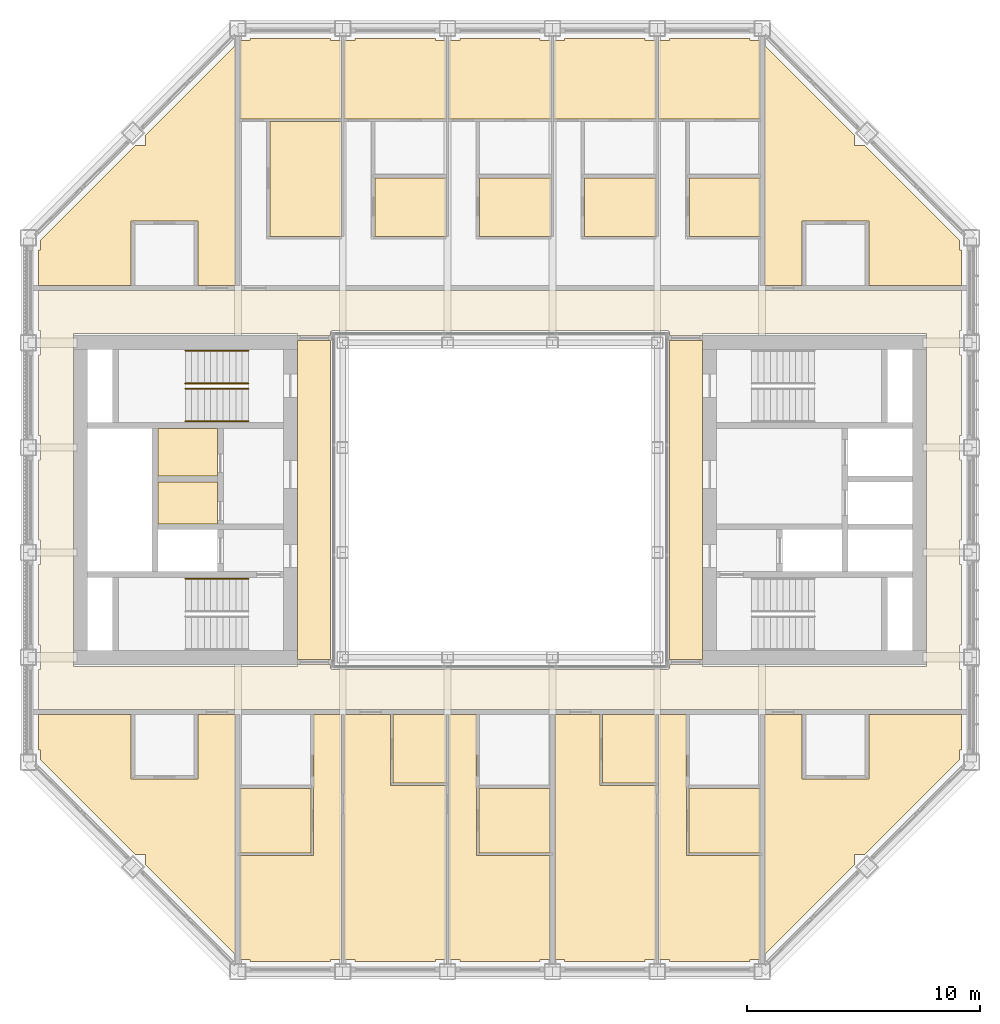
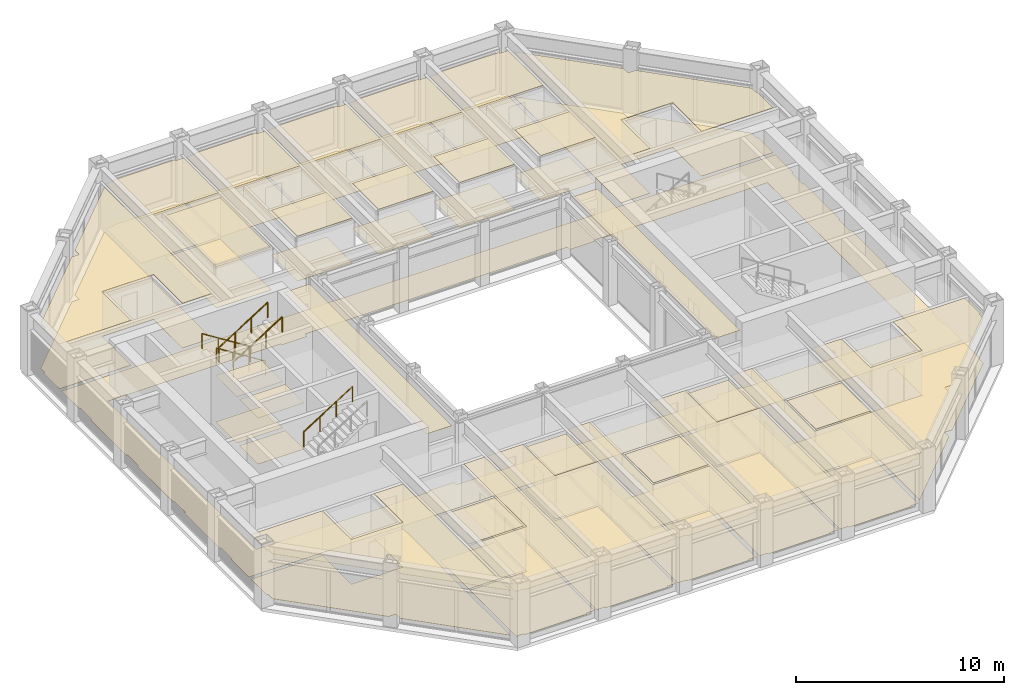
# One storey, part 16 of 18: 7 coverings, 5 railings.
"""IFC4 building model written with IfcOpenShell, lengths in metres."""

from ifc_helpers import new_model, si_unit, direction, frame, origin, origin_2d, place, context, subcontext, project, spatial, line, indexed_curve, circle, outline, extrude, material, layer, layer_set, type_object, element, save


model = new_model("IFC4")

# Units and contexts
model_context = context("Model", 3, precision=1e-05, world=origin(), true_north=direction((0.0, 1.0)))
body_context = subcontext(model_context, "Body", "Model", "MODEL_VIEW")
ifc_project = project(units=[si_unit("LENGTHUNIT", "METRE"), si_unit("AREAUNIT", "SQUARE_METRE"), si_unit("VOLUMEUNIT", "CUBIC_METRE"), si_unit("PLANEANGLEUNIT", "RADIAN"), si_unit("MASSUNIT", "GRAM", prefix="KILO")], contexts=[model_context])

# Site, building, storey
site_placement = place(None, origin())
site = spatial("IfcSite", under=ifc_project, at=site_placement, CompositionType="ELEMENT")
building_placement = place(site_placement, origin())
building = spatial("IfcBuilding", under=site, at=building_placement, Name="Msasa Ring Tower", CompositionType="ELEMENT")
storey_placement = place(building_placement, frame((0.0, 0.0, 249.550048828125)))
storey = spatial("IfcBuildingStorey", under=building, at=storey_placement, Name="L65", CompositionType="ELEMENT", Elevation=249.550048828125)

# Coverings
ifc_material_1 = material(Name="Gypsum plasterboard on a steel suspension grid", Category="steel")
ifc_layer_1 = layer(ifc_material_1, 0.014892578125)
ifc_layer_set_1 = layer_set([ifc_layer_1], Name="C1 SUSPENDED PLASTERBOARD CEILING 15")
covering_type_1 = type_object("IfcCoveringType", Name="C1 SUSPENDED PLASTERBOARD CEILING 15", PredefinedType="CEILING", material=ifc_layer_set_1)
covering_1_placement = place(storey_placement, frame((0.0, 0.0, 3.199951171875)))
element("IfcCovering", 1, at=covering_1_placement, inside=storey, type_object=covering_type_1, Name="Suspended Plasterboard Ceiling 15 public rooms L65", PredefinedType="CEILING", context=body_context, shape_type="SweptSolid", body=[
    extrude(outline(indexed_curve([(-7.280029296875, 6.849609375), (-7.280029296875, -6.849609375), (-8.699462890625, -6.849609375), (-8.699462890625, 6.849609375)], segments=[line(1, 2, 3, 4, 1)], self_intersect=False)), origin(), (0.0, 0.0, 1.0), 0.014892578125),
    extrude(outline(indexed_curve([(8.699462890625, 6.849609375), (8.699462890625, -6.849609375), (7.280029296875, -6.849609375), (7.280029296875, 6.849609375)], segments=[line(1, 2, 3, 4, 1)], self_intersect=False)), origin(), (0.0, 0.0, 1.0), 0.014892578125),
])
covering_2_placement = place(storey_placement, frame((0.0, 0.0, 2.634033203125)))
element("IfcCovering", 2, at=covering_2_placement, inside=storey, type_object=covering_type_1, Name="Suspended Plasterboard Ceiling 15 L65", PredefinedType="CEILING", context=body_context, shape_type="SweptSolid", body=[
    extrude(outline(indexed_curve([(-12.969482421875, -9.200439453125), (-11.3505859375, -9.200439453125), (-11.3505859375, -19.512451171875), (-15.224609375, -15.638427734375), (-15.224609375, -15.224609375), (-15.638427734375, -15.224609375), (-19.724609375, -11.138427734375), (-19.724609375, -10.724609375), (-19.799560546875, -10.724609375), (-19.799560546875, -9.200439453125), (-15.83056640625, -9.200439453125), (-15.83056640625, -11.98046875), (-12.969482421875, -11.98046875)], segments=[line(1, 2, 3, 4, 5, 6, 7, 8, 9, 10, 11, 12, 13, 1)], self_intersect=False)), origin(), (0.0, 0.0, 1.0), 0.014892578125),
    extrude(outline(indexed_curve([(-19.799560546875, 9.200439453125), (-19.799560546875, 10.724609375), (-19.724609375, 10.724609375), (-19.724609375, 11.138427734375), (-15.638427734375, 15.224609375), (-15.224609375, 15.224609375), (-15.224609375, 15.638427734375), (-11.3505859375, 19.512451171875), (-11.3505859375, 9.200439453125), (-12.969482421875, 9.200439453125), (-12.969482421875, 11.98046875), (-15.83056640625, 11.98046875), (-15.83056640625, 9.200439453125)], segments=[line(1, 2, 3, 4, 5, 6, 7, 8, 9, 10, 11, 12, 13, 1)], self_intersect=False)), origin(), (0.0, 0.0, 1.0), 0.014892578125),
    extrude(outline(indexed_curve([(-7.99951171875, -9.200439453125), (-6.810546875, -9.200439453125), (-6.810546875, -19.724609375), (-7.275390625, -19.724609375), (-7.275390625, -19.799560546875), (-10.724609375, -19.799560546875), (-10.724609375, -19.724609375), (-11.138427734375, -19.724609375), (-11.189453125, -19.67333984375), (-11.189453125, -15.25048828125), (-7.99951171875, -15.25048828125)], segments=[line(1, 2, 3, 4, 5, 6, 7, 8, 9, 10, 11, 1)], self_intersect=False)), origin(), (0.0, 0.0, 1.0), 0.014892578125),
    extrude(outline(indexed_curve([(-11.189453125, 16.35546875), (-11.189453125, 19.67333984375), (-11.138427734375, 19.724609375), (-10.724609375, 19.724609375), (-10.724609375, 19.799560546875), (-7.275390625, 19.799560546875), (-7.275390625, 19.724609375), (-6.810546875, 19.724609375), (-6.810546875, 16.35546875)], segments=[line(1, 2, 3, 4, 5, 6, 7, 8, 9, 1)], self_intersect=False)), origin(), (0.0, 0.0, 1.0), 0.014892578125),
    extrude(outline(indexed_curve([(-8.10546875, -12.380615234375), (-8.10546875, -15.14453125), (-11.1494140625, -15.14453125), (-11.1494140625, -12.380615234375)], segments=[line(1, 2, 3, 4, 1)], self_intersect=False)), origin(), (0.0, 0.0, 1.0), 0.014892578125),
    extrude(outline(indexed_curve([(-6.224609375, -19.799560546875), (-6.224609375, -19.724609375), (-6.689453125, -19.724609375), (-6.689453125, -9.200439453125), (-4.700439453125, -9.200439453125), (-4.700439453125, -12.25048828125), (-2.310546875, -12.25048828125), (-2.310546875, -19.724609375), (-2.775390625, -19.724609375), (-2.775390625, -19.799560546875)], segments=[line(1, 2, 3, 4, 5, 6, 7, 8, 9, 10, 1)], self_intersect=False)), origin(), (0.0, 0.0, 1.0), 0.014892578125),
    extrude(outline(indexed_curve([(-6.689453125, 19.724609375), (-6.224609375, 19.724609375), (-6.224609375, 19.799560546875), (-2.775390625, 19.799560546875), (-2.775390625, 19.724609375), (-2.310546875, 19.724609375), (-2.310546875, 16.35546875), (-6.689453125, 16.35546875)], segments=[line(1, 2, 3, 4, 5, 6, 7, 8, 1)], self_intersect=False)), origin(), (0.0, 0.0, 1.0), 0.014892578125),
    extrude(outline(indexed_curve([(-5.369384765625, 13.819580078125), (-2.310546875, 13.819580078125), (-2.310546875, 11.305419921875), (-5.369384765625, 11.305419921875)], segments=[line(1, 2, 3, 4, 1)], self_intersect=False)), origin(), (0.0, 0.0, 1.0), 0.014892578125),
    extrude(outline(indexed_curve([(-1.724609375, -19.799560546875), (-1.724609375, -19.724609375), (-2.189453125, -19.724609375), (-2.189453125, -9.200439453125), (-1.00048828125, -9.200439453125), (-1.00048828125, -15.25048828125), (2.189453125, -15.25048828125), (2.189453125, -19.724609375), (1.724609375, -19.724609375), (1.724609375, -19.799560546875)], segments=[line(1, 2, 3, 4, 5, 6, 7, 8, 9, 10, 1)], self_intersect=False)), origin(), (0.0, 0.0, 1.0), 0.014892578125),
    extrude(outline(indexed_curve([(-2.189453125, 16.35546875), (-2.189453125, 19.724609375), (-1.724609375, 19.724609375), (-1.724609375, 19.799560546875), (1.724609375, 19.799560546875), (1.724609375, 19.724609375), (2.189453125, 19.724609375), (2.189453125, 16.35546875)], segments=[line(1, 2, 3, 4, 5, 6, 7, 8, 1)], self_intersect=False)), origin(), (0.0, 0.0, 1.0), 0.014892578125),
    extrude(outline(indexed_curve([(-0.89453125, -12.380615234375), (2.1494140625, -12.380615234375), (2.1494140625, -15.14453125), (-0.89453125, -15.14453125)], segments=[line(1, 2, 3, 4, 1)], self_intersect=False)), origin(), (0.0, 0.0, 1.0), 0.014892578125),
    extrude(outline(indexed_curve([(-0.869384765625, 13.819580078125), (2.189453125, 13.819580078125), (2.189453125, 11.305419921875), (-0.869384765625, 11.305419921875)], segments=[line(1, 2, 3, 4, 1)], self_intersect=False)), origin(), (0.0, 0.0, 1.0), 0.014892578125),
    extrude(outline(indexed_curve([(2.775390625, -19.799560546875), (2.775390625, -19.724609375), (2.310546875, -19.724609375), (2.310546875, -9.200439453125), (4.299560546875, -9.200439453125), (4.299560546875, -12.25048828125), (6.689453125, -12.25048828125), (6.689453125, -19.724609375), (6.224609375, -19.724609375), (6.224609375, -19.799560546875)], segments=[line(1, 2, 3, 4, 5, 6, 7, 8, 9, 10, 1)], self_intersect=False)), origin(), (0.0, 0.0, 1.0), 0.014892578125),
    extrude(outline(indexed_curve([(2.310546875, 19.724609375), (2.775390625, 19.724609375), (2.775390625, 19.799560546875), (6.224609375, 19.799560546875), (6.224609375, 19.724609375), (6.689453125, 19.724609375), (6.689453125, 16.35546875), (2.310546875, 16.35546875)], segments=[line(1, 2, 3, 4, 5, 6, 7, 8, 1)], self_intersect=False)), origin(), (0.0, 0.0, 1.0), 0.014892578125),
    extrude(outline(indexed_curve([(6.689453125, 13.819580078125), (6.689453125, 11.305419921875), (3.630615234375, 11.305419921875), (3.630615234375, 13.819580078125)], segments=[line(1, 2, 3, 4, 1)], self_intersect=False)), origin(), (0.0, 0.0, 1.0), 0.014892578125),
    extrude(outline(indexed_curve([(11.138427734375, -19.724609375), (10.724609375, -19.724609375), (10.724609375, -19.799560546875), (7.275390625, -19.799560546875), (7.275390625, -19.724609375), (6.810546875, -19.724609375), (6.810546875, -9.200439453125), (7.99951171875, -9.200439453125), (7.99951171875, -15.25048828125), (11.189453125, -15.25048828125), (11.189453125, -19.67333984375)], segments=[line(1, 2, 3, 4, 5, 6, 7, 8, 9, 10, 11, 1)], self_intersect=False)), origin(), (0.0, 0.0, 1.0), 0.014892578125),
    extrude(outline(indexed_curve([(6.810546875, 16.35546875), (6.810546875, 19.724609375), (7.275390625, 19.724609375), (7.275390625, 19.799560546875), (10.724609375, 19.799560546875), (10.724609375, 19.724609375), (11.138427734375, 19.724609375), (11.189453125, 19.67333984375), (11.189453125, 16.35546875)], segments=[line(1, 2, 3, 4, 5, 6, 7, 8, 9, 1)], self_intersect=False)), origin(), (0.0, 0.0, 1.0), 0.014892578125),
    extrude(outline(indexed_curve([(11.1494140625, -12.380615234375), (11.1494140625, -15.14453125), (8.10546875, -15.14453125), (8.10546875, -12.380615234375)], segments=[line(1, 2, 3, 4, 1)], self_intersect=False)), origin(), (0.0, 0.0, 1.0), 0.014892578125),
    extrude(outline(indexed_curve([(11.189453125, 13.819580078125), (11.189453125, 11.305419921875), (8.130615234375, 11.305419921875), (8.130615234375, 13.819580078125)], segments=[line(1, 2, 3, 4, 1)], self_intersect=False)), origin(), (0.0, 0.0, 1.0), 0.014892578125),
    extrude(outline(indexed_curve([(19.799560546875, -10.724609375), (19.724609375, -10.724609375), (19.724609375, -11.138427734375), (15.638427734375, -15.224609375), (15.224609375, -15.224609375), (15.224609375, -15.638427734375), (11.3505859375, -19.512451171875), (11.3505859375, -9.200439453125), (12.969482421875, -9.200439453125), (12.969482421875, -11.98046875), (15.83056640625, -11.98046875), (15.83056640625, -9.200439453125), (19.799560546875, -9.200439453125)], segments=[line(1, 2, 3, 4, 5, 6, 7, 8, 9, 10, 11, 12, 13, 1)], self_intersect=False)), origin(), (0.0, 0.0, 1.0), 0.014892578125),
    extrude(outline(indexed_curve([(12.969482421875, 11.98046875), (12.969482421875, 9.200439453125), (11.3505859375, 9.200439453125), (11.3505859375, 19.512451171875), (15.224609375, 15.638427734375), (15.224609375, 15.224609375), (15.638427734375, 15.224609375), (19.724609375, 11.138427734375), (19.724609375, 10.724609375), (19.799560546875, 10.724609375), (19.799560546875, 9.200439453125), (15.83056640625, 9.200439453125), (15.83056640625, 11.98046875)], segments=[line(1, 2, 3, 4, 5, 6, 7, 8, 9, 10, 11, 12, 13, 1)], self_intersect=False)), origin(), (0.0, 0.0, 1.0), 0.014892578125),
])
ifc_material_2 = material(Name="Mineral fibre ceiling tiles on an exposed steel grid", Category="steel")
ifc_layer_2 = layer(ifc_material_2, 0.02001953125)
ifc_layer_set_2 = layer_set([ifc_layer_2], Name="C3 ACOUSTIC MINERAL FIBRE TILE CEILING 20")
covering_type_2 = type_object("IfcCoveringType", Name="C3 ACOUSTIC MINERAL FIBRE TILE CEILING 20", PredefinedType="CEILING", material=ifc_layer_set_2)
covering_3_placement = place(storey_placement, frame((0.0, 0.0, 2.699951171875)))
element("IfcCovering", 3, at=covering_3_placement, inside=storey, type_object=covering_type_2, Name="Acoustic Mineral Fibre Tile Ceiling 20 L65", PredefinedType="CEILING", context=body_context, shape_type="SweptSolid", body=[
    extrude(outline(indexed_curve([(-12.12548828125, -1.0244140625), (-14.674560546875, -1.0244140625), (-14.674560546875, 0.7744140625), (-12.12548828125, 0.7744140625)], segments=[line(1, 2, 3, 4, 1)], self_intersect=False)), origin(), (0.0, 0.0, 1.0), 0.02001953125),
    extrude(outline(indexed_curve([(-12.12548828125, 3.074462890625), (-12.12548828125, 1.025390625), (-14.674560546875, 1.025390625), (-14.674560546875, 3.074462890625)], segments=[line(1, 2, 3, 4, 1)], self_intersect=False)), origin(), (0.0, 0.0, 1.0), 0.02001953125),
])
ifc_material_3 = material(Name="Perforated aluminium ceiling pans on a steel grid", Category="steel")
ifc_layer_3 = layer(ifc_material_3, 0.02490234375)
ifc_layer_set_3 = layer_set([ifc_layer_3], Name="C4 PERFORATED METAL PAN CEILING 25")
covering_type_3 = type_object("IfcCoveringType", Name="C4 PERFORATED METAL PAN CEILING 25", PredefinedType="CEILING", material=ifc_layer_set_3)
covering_4_placement = place(storey_placement, frame((0.0, 0.0, 2.39990234375)))
element("IfcCovering", 4, at=covering_4_placement, inside=storey, type_object=covering_type_3, Name="Perforated Metal Pan Ceiling 25 L65", PredefinedType="CEILING", context=body_context, shape_type="SweptSolid", body=[
    extrude(outline(indexed_curve([(-6.810546875, 11.305419921875), (-9.869384765625, 11.305419921875), (-9.869384765625, 16.244384765625), (-6.810546875, 16.244384765625)], segments=[line(1, 2, 3, 4, 1)], self_intersect=False)), origin(), (0.0, 0.0, 1.0), 0.025146484375),
    extrude(outline(indexed_curve([(-2.310546875, -9.200439453125), (-2.310546875, -12.14453125), (-4.594482421875, -12.14453125), (-4.594482421875, -9.200439453125)], segments=[line(1, 2, 3, 4, 1)], self_intersect=False)), origin(), (0.0, 0.0, 1.0), 0.025146484375),
    extrude(outline(indexed_curve([(6.689453125, -12.14453125), (4.405517578125, -12.14453125), (4.405517578125, -9.200439453125), (6.689453125, -9.200439453125)], segments=[line(1, 2, 3, 4, 1)], self_intersect=False)), origin(), (0.0, 0.0, 1.0), 0.025146484375),
])
ifc_material_4 = material(Name="Wool-blend carpet on felt underlay", Category="textile")
ifc_layer_4 = layer(ifc_material_4, 0.011962890625)
ifc_layer_set_4 = layer_set([ifc_layer_4], Name="F2 CARPET ON UNDERLAY 12")
covering_type_4 = type_object("IfcCoveringType", Name="F2 CARPET ON UNDERLAY 12", PredefinedType="FLOORING", material=ifc_layer_set_4)
covering_5_placement = place(storey_placement, origin())
element("IfcCovering", 5, at=covering_5_placement, inside=storey, type_object=covering_type_4, Name="Carpet On Underlay 12 L65", PredefinedType="FLOORING", context=body_context, shape_type="SweptSolid", body=[
    extrude(outline(indexed_curve([(19.799560546875, 7.275390625), (19.724609375, 7.275390625), (19.724609375, 6.224609375), (19.799560546875, 6.224609375), (19.799560546875, 2.775390625), (19.724609375, 2.775390625), (19.724609375, 1.724609375), (19.799560546875, 1.724609375), (19.799560546875, -1.724609375), (19.724609375, -1.724609375), (19.724609375, -2.775390625), (19.799560546875, -2.775390625), (19.799560546875, -6.224609375), (19.724609375, -6.224609375), (19.724609375, -7.275390625), (19.799560546875, -7.275390625), (19.799560546875, -8.99951171875), (-19.799560546875, -8.99951171875), (-19.799560546875, -7.275390625), (-19.724609375, -7.275390625), (-19.724609375, -6.224609375), (-19.799560546875, -6.224609375), (-19.799560546875, -2.775390625), (-19.724609375, -2.775390625), (-19.724609375, -1.724609375), (-19.799560546875, -1.724609375), (-19.799560546875, 1.724609375), (-19.724609375, 1.724609375), (-19.724609375, 2.775390625), (-19.799560546875, 2.775390625), (-19.799560546875, 6.224609375), (-19.724609375, 6.224609375), (-19.724609375, 7.275390625), (-19.799560546875, 7.275390625), (-19.799560546875, 8.99951171875), (19.799560546875, 8.99951171875)], segments=[line(1, 2, 3, 4, 5, 6, 7, 8, 9, 10, 11, 12, 13, 14, 15, 16, 17, 18, 19, 20, 21, 22, 23, 24, 25, 26, 27, 28, 29, 30, 31, 32, 33, 34, 35, 36, 1)], self_intersect=False), holes=[indexed_curve([(8.699462890625, -7.150390625), (18.300537109375, -7.150390625), (18.300537109375, 7.150390625), (8.699462890625, 7.150390625), (8.699462890625, 7.050537109375), (7.280029296875, 7.050537109375), (7.280517578125, 7.23046875), (7.22998046875, 7.23046875), (7.22998046875, 7.280029296875), (-7.22998046875, 7.280029296875), (-7.22998046875, 7.23046875), (-7.280517578125, 7.23046875), (-7.280029296875, 7.050537109375), (-8.699462890625, 7.050537109375), (-8.699462890625, 7.150390625), (-18.300537109375, 7.150390625), (-18.300537109375, -7.150390625), (-8.699462890625, -7.150390625), (-8.699462890625, -7.050537109375), (-7.280029296875, -7.050537109375), (-7.280517578125, -7.23046875), (-7.22998046875, -7.23046875), (-7.22998046875, -7.280029296875), (7.22998046875, -7.280029296875), (7.22998046875, -7.23046875), (7.280517578125, -7.23046875), (7.280029296875, -7.050537109375), (8.699462890625, -7.050537109375)], segments=[line(1, 2, 3, 4, 5, 6, 7, 8, 9, 10, 11, 12, 13, 14, 15, 16, 17, 18, 19, 20, 21, 22, 23, 24, 25, 26, 27, 28, 1)], self_intersect=False)]), origin(), (0.0, 0.0, 1.0), 0.011962890625),
    extrude(outline(indexed_curve([(-6.810546875, -9.200439453125), (-6.810546875, -19.724609375), (-7.275390625, -19.724609375), (-7.275390625, -19.799560546875), (-10.724609375, -19.799560546875), (-10.724609375, -19.724609375), (-11.138427734375, -19.724609375), (-11.1494140625, -19.71337890625), (-11.1494140625, -15.25048828125), (-7.99951171875, -15.25048828125), (-7.99951171875, -12.35009765625), (-7.974609375, -12.35009765625), (-7.974609375, -9.200439453125)], segments=[line(1, 2, 3, 4, 5, 6, 7, 8, 9, 10, 11, 12, 13, 1)], self_intersect=False)), origin(), (0.0, 0.0, 1.0), 0.011962890625),
    extrude(outline(indexed_curve([(-8.10546875, -12.380615234375), (-8.10546875, -15.14453125), (-11.1494140625, -15.14453125), (-11.1494140625, -12.380615234375)], segments=[line(1, 2, 3, 4, 1)], self_intersect=False)), origin(), (0.0, 0.0, 1.0), 0.011962890625),
    extrude(outline(indexed_curve([(-11.1494140625, 16.35546875), (-11.1494140625, 19.71337890625), (-11.138427734375, 19.724609375), (-10.724609375, 19.724609375), (-10.724609375, 19.799560546875), (-7.275390625, 19.799560546875), (-7.275390625, 19.724609375), (-6.810546875, 19.724609375), (-6.810546875, 16.35546875)], segments=[line(1, 2, 3, 4, 5, 6, 7, 8, 9, 1)], self_intersect=False)), origin(), (0.0, 0.0, 1.0), 0.011962890625),
    extrude(outline(indexed_curve([(-6.689453125, -9.200439453125), (-4.700439453125, -9.200439453125), (-4.700439453125, -12.25048828125), (-2.310546875, -12.25048828125), (-2.310546875, -19.724609375), (-2.775390625, -19.724609375), (-2.775390625, -19.799560546875), (-6.224609375, -19.799560546875), (-6.224609375, -19.724609375), (-6.689453125, -19.724609375)], segments=[line(1, 2, 3, 4, 5, 6, 7, 8, 9, 10, 1)], self_intersect=False)), origin(), (0.0, 0.0, 1.0), 0.011962890625),
    extrude(outline(indexed_curve([(-2.775390625, 19.799560546875), (-2.775390625, 19.724609375), (-2.310546875, 19.724609375), (-2.310546875, 16.35546875), (-6.689453125, 16.35546875), (-6.689453125, 19.724609375), (-6.224609375, 19.724609375), (-6.224609375, 19.799560546875)], segments=[line(1, 2, 3, 4, 5, 6, 7, 8, 1)], self_intersect=False)), origin(), (0.0, 0.0, 1.0), 0.011962890625),
    extrude(outline(indexed_curve([(-2.310546875, 13.819580078125), (-2.310546875, 11.305419921875), (-5.369384765625, 11.305419921875), (-5.369384765625, 13.819580078125)], segments=[line(1, 2, 3, 4, 1)], self_intersect=False)), origin(), (0.0, 0.0, 1.0), 0.011962890625),
    extrude(outline(indexed_curve([(-2.189453125, -9.200439453125), (-1.025390625, -9.200439453125), (-1.025390625, -12.35009765625), (-1.00048828125, -12.35009765625), (-1.00048828125, -15.25048828125), (2.1494140625, -15.25048828125), (2.1494140625, -19.724609375), (1.724609375, -19.724609375), (1.724609375, -19.799560546875), (-1.724609375, -19.799560546875), (-1.724609375, -19.724609375), (-2.189453125, -19.724609375)], segments=[line(1, 2, 3, 4, 5, 6, 7, 8, 9, 10, 11, 12, 1)], self_intersect=False)), origin(), (0.0, 0.0, 1.0), 0.011962890625),
    extrude(outline(indexed_curve([(1.724609375, 19.799560546875), (1.724609375, 19.724609375), (2.189453125, 19.724609375), (2.189453125, 16.35546875), (-2.189453125, 16.35546875), (-2.189453125, 19.724609375), (-1.724609375, 19.724609375), (-1.724609375, 19.799560546875)], segments=[line(1, 2, 3, 4, 5, 6, 7, 8, 1)], self_intersect=False)), origin(), (0.0, 0.0, 1.0), 0.011962890625),
    extrude(outline(indexed_curve([(2.1494140625, -12.380615234375), (2.1494140625, -15.14453125), (-0.89453125, -15.14453125), (-0.89453125, -12.380615234375)], segments=[line(1, 2, 3, 4, 1)], self_intersect=False)), origin(), (0.0, 0.0, 1.0), 0.011962890625),
    extrude(outline(indexed_curve([(2.189453125, 13.819580078125), (2.189453125, 11.305419921875), (-0.869384765625, 11.305419921875), (-0.869384765625, 13.819580078125)], segments=[line(1, 2, 3, 4, 1)], self_intersect=False)), origin(), (0.0, 0.0, 1.0), 0.011962890625),
    extrude(outline(indexed_curve([(6.224609375, 19.799560546875), (6.224609375, 19.724609375), (6.689453125, 19.724609375), (6.689453125, 16.35546875), (2.310546875, 16.35546875), (2.310546875, 19.724609375), (2.775390625, 19.724609375), (2.775390625, 19.799560546875)], segments=[line(1, 2, 3, 4, 5, 6, 7, 8, 1)], self_intersect=False)), origin(), (0.0, 0.0, 1.0), 0.011962890625),
    extrude(outline(indexed_curve([(4.299560546875, -9.200439453125), (4.299560546875, -12.25048828125), (6.689453125, -12.25048828125), (6.689453125, -19.724609375), (6.224609375, -19.724609375), (6.224609375, -19.799560546875), (2.775390625, -19.799560546875), (2.775390625, -19.724609375), (2.3505859375, -19.724609375), (2.3505859375, -9.200439453125)], segments=[line(1, 2, 3, 4, 5, 6, 7, 8, 9, 10, 1)], self_intersect=False)), origin(), (0.0, 0.0, 1.0), 0.011962890625),
    extrude(outline(indexed_curve([(6.689453125, 13.819580078125), (6.689453125, 11.305419921875), (3.630615234375, 11.305419921875), (3.630615234375, 13.819580078125)], segments=[line(1, 2, 3, 4, 1)], self_intersect=False)), origin(), (0.0, 0.0, 1.0), 0.011962890625),
    extrude(outline(indexed_curve([(7.275390625, -19.799560546875), (7.275390625, -19.724609375), (6.810546875, -19.724609375), (6.810546875, -9.200439453125), (7.974609375, -9.200439453125), (7.974609375, -12.35009765625), (7.99951171875, -12.35009765625), (7.99951171875, -15.25048828125), (11.1494140625, -15.25048828125), (11.1494140625, -19.71337890625), (11.138427734375, -19.724609375), (10.724609375, -19.724609375), (10.724609375, -19.799560546875)], segments=[line(1, 2, 3, 4, 5, 6, 7, 8, 9, 10, 11, 12, 13, 1)], self_intersect=False)), origin(), (0.0, 0.0, 1.0), 0.011962890625),
    extrude(outline(indexed_curve([(6.810546875, 19.724609375), (7.275390625, 19.724609375), (7.275390625, 19.799560546875), (10.724609375, 19.799560546875), (10.724609375, 19.724609375), (11.138427734375, 19.724609375), (11.1494140625, 19.71337890625), (11.1494140625, 16.35546875), (6.810546875, 16.35546875)], segments=[line(1, 2, 3, 4, 5, 6, 7, 8, 9, 1)], self_intersect=False)), origin(), (0.0, 0.0, 1.0), 0.011962890625),
    extrude(outline(indexed_curve([(11.1494140625, -12.380615234375), (11.1494140625, -15.14453125), (8.10546875, -15.14453125), (8.10546875, -12.380615234375)], segments=[line(1, 2, 3, 4, 1)], self_intersect=False)), origin(), (0.0, 0.0, 1.0), 0.011962890625),
    extrude(outline(indexed_curve([(11.1494140625, 13.819580078125), (11.1494140625, 11.305419921875), (8.130615234375, 11.305419921875), (8.130615234375, 13.819580078125)], segments=[line(1, 2, 3, 4, 1)], self_intersect=False)), origin(), (0.0, 0.0, 1.0), 0.011962890625),
])
ifc_material_5 = material(Name="Engineered oak boards on an acoustic underlay", Category="wood")
ifc_layer_5 = layer(ifc_material_5, 0.01806640625)
ifc_layer_set_5 = layer_set([ifc_layer_5], Name="F3 ENGINEERED TIMBER ON ACOUSTIC UNDERLAY 18")
covering_type_5 = type_object("IfcCoveringType", Name="F3 ENGINEERED TIMBER ON ACOUSTIC UNDERLAY 18", PredefinedType="FLOORING", material=ifc_layer_set_5)
covering_6_placement = place(storey_placement, origin())
element("IfcCovering", 6, at=covering_6_placement, inside=storey, type_object=covering_type_5, Name="Engineered Timber On Acoustic Underlay 18 L65", PredefinedType="FLOORING", context=body_context, shape_type="SweptSolid", body=[
    extrude(outline(indexed_curve([(-15.83056640625, -11.98046875), (-12.969482421875, -11.98046875), (-12.969482421875, -9.200439453125), (-11.3505859375, -9.200439453125), (-11.3505859375, -19.512451171875), (-15.224609375, -15.638427734375), (-15.224609375, -15.224609375), (-15.638427734375, -15.224609375), (-19.724609375, -11.138427734375), (-19.724609375, -10.724609375), (-19.799560546875, -10.724609375), (-19.799560546875, -9.200439453125), (-15.83056640625, -9.200439453125)], segments=[line(1, 2, 3, 4, 5, 6, 7, 8, 9, 10, 11, 12, 13, 1)], self_intersect=False)), origin(), (0.0, 0.0, 1.0), 0.01806640625),
    extrude(outline(indexed_curve([(-15.83056640625, 9.200439453125), (-19.799560546875, 9.200439453125), (-19.799560546875, 10.724609375), (-19.724609375, 10.724609375), (-19.724609375, 11.138427734375), (-15.638427734375, 15.224609375), (-15.224609375, 15.224609375), (-15.224609375, 15.638427734375), (-11.3505859375, 19.512451171875), (-11.3505859375, 9.200439453125), (-12.969482421875, 9.200439453125), (-12.969482421875, 11.98046875), (-15.83056640625, 11.98046875)], segments=[line(1, 2, 3, 4, 5, 6, 7, 8, 9, 10, 11, 12, 13, 1)], self_intersect=False)), origin(), (0.0, 0.0, 1.0), 0.01806640625),
    extrude(outline(indexed_curve([(15.83056640625, -9.200439453125), (19.799560546875, -9.200439453125), (19.799560546875, -10.724609375), (19.724609375, -10.724609375), (19.724609375, -11.138427734375), (15.638427734375, -15.224609375), (15.224609375, -15.224609375), (15.224609375, -15.638427734375), (11.3505859375, -19.512451171875), (11.3505859375, -9.200439453125), (12.969482421875, -9.200439453125), (12.969482421875, -11.98046875), (15.83056640625, -11.98046875)], segments=[line(1, 2, 3, 4, 5, 6, 7, 8, 9, 10, 11, 12, 13, 1)], self_intersect=False)), origin(), (0.0, 0.0, 1.0), 0.01806640625),
    extrude(outline(indexed_curve([(15.83056640625, 11.98046875), (12.969482421875, 11.98046875), (12.969482421875, 9.200439453125), (11.3505859375, 9.200439453125), (11.3505859375, 19.512451171875), (15.224609375, 15.638427734375), (15.224609375, 15.224609375), (15.638427734375, 15.224609375), (19.724609375, 11.138427734375), (19.724609375, 10.724609375), (19.799560546875, 10.724609375), (19.799560546875, 9.200439453125), (15.83056640625, 9.200439453125)], segments=[line(1, 2, 3, 4, 5, 6, 7, 8, 9, 10, 11, 12, 13, 1)], self_intersect=False)), origin(), (0.0, 0.0, 1.0), 0.01806640625),
])
ifc_material_6 = material(Name="Welded vinyl safety sheet flooring", Category="vinyl")
ifc_layer_6 = layer(ifc_material_6, 0.0029296875)
ifc_layer_set_6 = layer_set([ifc_layer_6], Name="F5 RESILIENT SHEET FLOORING 3")
covering_type_6 = type_object("IfcCoveringType", Name="F5 RESILIENT SHEET FLOORING 3", PredefinedType="FLOORING", material=ifc_layer_set_6)
covering_7_placement = place(storey_placement, origin())
element("IfcCovering", 7, at=covering_7_placement, inside=storey, type_object=covering_type_6, Name="Resilient Sheet Flooring 3 L65", PredefinedType="FLOORING", context=body_context, shape_type="SweptSolid", body=[
    extrude(outline(indexed_curve([(-14.674560546875, -1.0244140625), (-14.674560546875, 0.7744140625), (-12.12548828125, 0.7744140625), (-12.12548828125, -1.0244140625)], segments=[line(1, 2, 3, 4, 1)], self_intersect=False)), origin(), (0.0, 0.0, 1.0), 0.0029296875),
    extrude(outline(indexed_curve([(-14.674560546875, 3.074462890625), (-12.12548828125, 3.074462890625), (-12.12548828125, 1.025390625), (-14.674560546875, 1.025390625)], segments=[line(1, 2, 3, 4, 1)], self_intersect=False)), origin(), (0.0, 0.0, 1.0), 0.0029296875),
    extrude(outline(indexed_curve([(-9.869384765625, 16.244384765625), (-6.810546875, 16.244384765625), (-6.810546875, 11.305419921875), (-9.869384765625, 11.305419921875)], segments=[line(1, 2, 3, 4, 1)], self_intersect=False)), origin(), (0.0, 0.0, 1.0), 0.0029296875),
    extrude(outline(indexed_curve([(-4.594482421875, -12.14453125), (-4.594482421875, -9.200439453125), (-2.310546875, -9.200439453125), (-2.310546875, -12.14453125)], segments=[line(1, 2, 3, 4, 1)], self_intersect=False)), origin(), (0.0, 0.0, 1.0), 0.0029296875),
    extrude(outline(indexed_curve([(4.405517578125, -12.14453125), (4.405517578125, -9.200439453125), (6.689453125, -9.200439453125), (6.689453125, -12.14453125)], segments=[line(1, 2, 3, 4, 1)], self_intersect=False)), origin(), (0.0, 0.0, 1.0), 0.0029296875),
])

# Railings
ifc_material_7 = material(Name="Stainless steel", Category="steel")
railing_type = type_object("IfcRailingType", Name="HR1 HANDRAIL 900", PredefinedType="HANDRAIL", material=ifc_material_7)
railing_placement = place(storey_placement, frame((-13.5, -3.375, 2.04541015625)))
element("IfcRailing", 8, at=railing_placement, inside=storey, type_object=railing_type, Name="Handrail stair SWA L65 4", PredefinedType="HANDRAIL", context=body_context, shape_type="SweptSolid", body=[
    extrude(circle(Radius=0.02392578125, at=origin_2d()), frame((0.0, 0.0, 0.8759765625), z_axis=(0.845579735284, 0.0, 0.533849146555), x_axis=(0.0, 1.0, 0.0)), (0.0, 0.0, 1.0), 3.193115234375),
    extrude(circle(Radius=0.02099609375, at=origin_2d()), origin(), (0.0, 0.0, 1.0), 0.851806640625),
    extrude(circle(Radius=0.02099609375, at=origin_2d()), frame((0.89990234375, 0.0, 0.568115234375)), (0.0, 0.0, 1.0), 0.851806640625),
    extrude(circle(Radius=0.02099609375, at=origin_2d()), frame((1.800048828125, 0.0, 1.136474609375)), (0.0, 0.0, 1.0), 0.851806640625),
    extrude(circle(Radius=0.02099609375, at=origin_2d()), frame((2.699951171875, 0.0, 1.70458984375)), (0.0, 0.0, 1.0), 0.851806640625),
])
for number, where, name in (
    (9, (-10.800048828125, 5.0, 0.17041015625), "Handrail stair SWB L65 1"),
    (10, (-10.800048828125, 6.39990234375, 0.17041015625), "Handrail stair SWB L65 2"),
):
    element("IfcRailing", number, at=place(storey_placement, frame(where)), inside=storey, type_object=railing_type, Name=name, PredefinedType="HANDRAIL", context=body_context, shape_type="SweptSolid", body=[
        extrude(circle(Radius=0.02392578125, at=origin_2d()), frame((0.0, 0.0, 0.8759765625), z_axis=(-0.845579735284, 0.0, 0.533849146555), x_axis=(0.0, -1.0, 0.0)), (0.0, 0.0, 1.0), 3.193115234375),
        extrude(circle(Radius=0.02099609375, at=origin_2d()), origin(), (0.0, 0.0, 1.0), 0.851806640625),
        extrude(circle(Radius=0.02099609375, at=origin_2d()), frame((-0.89990234375, 0.0, 0.568115234375)), (0.0, 0.0, 1.0), 0.851806640625),
        extrude(circle(Radius=0.02099609375, at=origin_2d()), frame((-1.800048828125, 0.0, 1.136474609375)), (0.0, 0.0, 1.0), 0.851806640625),
        extrude(circle(Radius=0.02099609375, at=origin_2d()), frame((-2.699951171875, 0.0, 1.70458984375)), (0.0, 0.0, 1.0), 0.851806640625),
    ])
for number, where, name in (
    (11, (-13.5, 3.375, 2.04541015625), "Handrail stair SWB L65 3"),
    (12, (-13.5, 4.77490234375, 2.04541015625), "Handrail stair SWB L65 4"),
):
    element("IfcRailing", number, at=place(storey_placement, frame(where)), inside=storey, type_object=railing_type, Name=name, PredefinedType="HANDRAIL", context=body_context, shape_type="SweptSolid", body=[
        extrude(circle(Radius=0.02392578125, at=origin_2d()), frame((0.0, 0.0, 0.8759765625), z_axis=(0.845579735284, 0.0, 0.533849146555), x_axis=(0.0, 1.0, 0.0)), (0.0, 0.0, 1.0), 3.193115234375),
        extrude(circle(Radius=0.02099609375, at=origin_2d()), origin(), (0.0, 0.0, 1.0), 0.851806640625),
        extrude(circle(Radius=0.02099609375, at=origin_2d()), frame((0.89990234375, 0.0, 0.568115234375)), (0.0, 0.0, 1.0), 0.851806640625),
        extrude(circle(Radius=0.02099609375, at=origin_2d()), frame((1.800048828125, 0.0, 1.136474609375)), (0.0, 0.0, 1.0), 0.851806640625),
        extrude(circle(Radius=0.02099609375, at=origin_2d()), frame((2.699951171875, 0.0, 1.70458984375)), (0.0, 0.0, 1.0), 0.851806640625),
    ])

save(model, "model.ifc")
